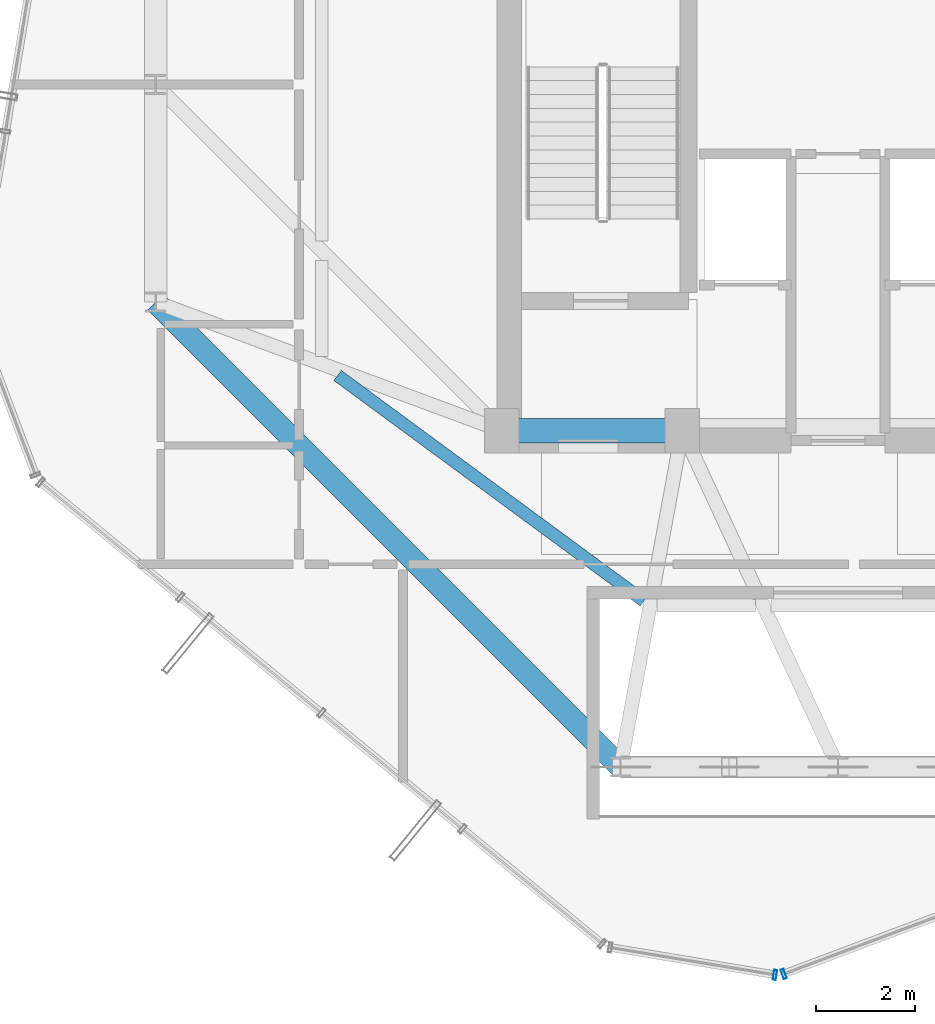
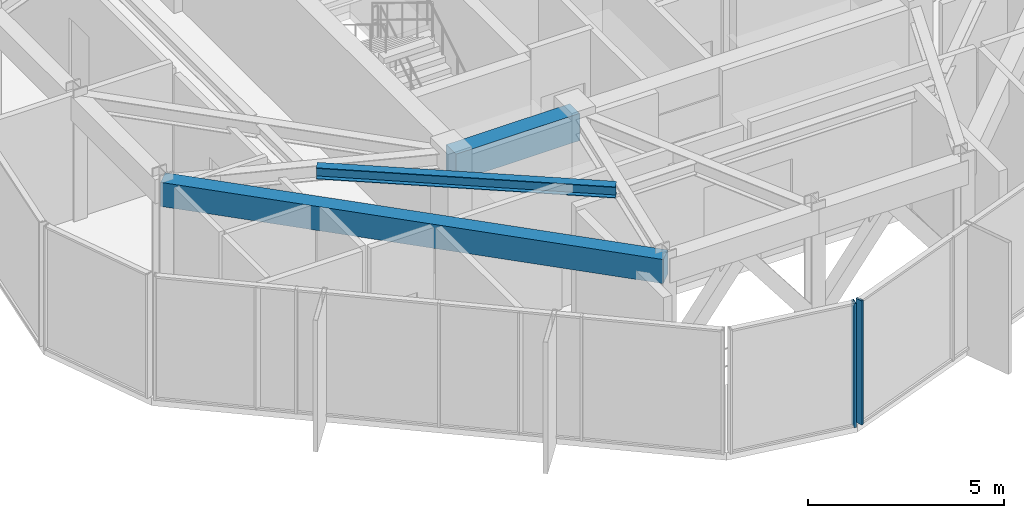
# One storey, part 5 of 22: 3 beams, 2 members, 2 elements without a shape of their own.
"""IFC4 building model written with IfcOpenShell, lengths in metres."""

from ifc_helpers import new_model, si_unit, direction, frame, origin, origin_2d, place, context, subcontext, project, spatial, rectangle, hollow_rectangle, i_section, extrude, source, transform, mapped, material, layer, layer_set, material_profile, profile_set, type_object, element, aggregate, save


model = new_model("IFC4")

# Units and contexts
model_context = context("Model", 3, precision=1e-05, world=origin(), true_north=direction((0.0, 1.0)))
body_context = subcontext(model_context, "Body", "Model", "MODEL_VIEW")
ifc_project = project(units=[si_unit("LENGTHUNIT", "METRE"), si_unit("AREAUNIT", "SQUARE_METRE"), si_unit("VOLUMEUNIT", "CUBIC_METRE"), si_unit("PLANEANGLEUNIT", "RADIAN"), si_unit("MASSUNIT", "GRAM", prefix="KILO")], contexts=[model_context])

# Site, building, storey
site_placement = place(None, origin())
site = spatial("IfcSite", under=ifc_project, at=site_placement, CompositionType="ELEMENT")
building_placement = place(site_placement, origin())
building = spatial("IfcBuilding", under=site, at=building_placement, Name="Veraguas Prism Commons", CompositionType="ELEMENT")
storey_placement = place(building_placement, frame((0.0, 0.0, 240.64990234375)))
storey = spatial("IfcBuildingStorey", under=building, at=storey_placement, Name="L68", CompositionType="ELEMENT", Elevation=240.64990234375)

# Beams
ifc_material_1 = material(Name="Concrete C50/60", Category="concrete")
ifc_material_profile_1 = material_profile(ifc_material_1, rectangle(XDim=0.5, YDim=0.85009765625, at=origin_2d()), Name="RC500X850")
ifc_profile_set_1 = profile_set([ifc_material_profile_1], Name="Concrete C50/60")
beam_type_1 = type_object("IfcBeamType", Name="Core Coupling Beam RC 500x850", PredefinedType="BEAM", material=ifc_profile_set_1)
beam_1_placement = place(storey_placement, frame((17.199951171875, 17.0, 3.440185546875), z_axis=(1.0, 0.0, 0.0), x_axis=(0.0, 1.0, 0.0)))
element("IfcBeam", 1, at=beam_1_placement, inside=storey, type_object=beam_type_1, Name="Core Coupling Beam L68-CRS1", PredefinedType="BEAM", context=body_context, shape_type="SweptSolid", body=[
    extrude(rectangle(XDim=0.5, YDim=0.85009765625, at=origin_2d()), origin(), (0.0, 0.0, 1.0), 3.650146484375),
])
ifc_material_profile_2 = material_profile(ifc_material_1, rectangle(XDim=0.449951171875, YDim=0.75, at=origin_2d()), Name="RC450X750")
ifc_profile_set_2 = profile_set([ifc_material_profile_2], Name="Concrete C50/60")
beam_type_2 = type_object("IfcBeamType", Name="Perimeter Spandrel Upper RC 450x750", PredefinedType="SPANDREL", material=ifc_profile_set_2)
beam_2_placement = place(storey_placement, frame((10.199951171875, 19.60009765625, 3.489990234375), z_axis=(0.707106781187, -0.707106781187, 0.0), x_axis=(0.707106781187, 0.707106781187, 0.0)))
element("IfcBeam", 2, at=beam_2_placement, inside=storey, type_object=beam_type_2, Name="Perimeter Spandrel Beam L68-SP09", PredefinedType="SPANDREL", context=body_context, shape_type="SweptSolid", body=[
    extrude(rectangle(XDim=0.449951171875, YDim=0.75, at=origin_2d()), origin(), (0.0, 0.0, 1.0), 13.293701171875),
])
ifc_material_2 = material(Name="Steel ASTM A992 Grade 50", Category="steel")
ifc_material_profile_3 = material_profile(ifc_material_2, i_section(OverallWidth=0.25390625, OverallDepth=0.35302734375, WebThickness=0.009521484375, FlangeThickness=0.016357421875, at=origin_2d()), Name="W360X91")
ifc_profile_set_3 = profile_set([ifc_material_profile_3], Name="Steel ASTM A992 Grade 50")
beam_type_3 = type_object("IfcBeamType", Name="Upper Floor Joist W360x91", PredefinedType="JOIST", material=ifc_profile_set_3)
beam_3_placement = place(storey_placement, frame((13.881103515625, 18.11572265625, 3.6884765625), z_axis=(0.805319835229, -0.592840588174, 0.0), x_axis=(0.592840588174, 0.805319835229, 0.0)))
element("IfcBeam", 3, at=beam_3_placement, inside=storey, type_object=beam_type_3, Name="Composite Floor Joist L68-JS09", PredefinedType="JOIST", context=body_context, shape_type="SweptSolid", body=[
    extrude(i_section(OverallWidth=0.25390625, OverallDepth=0.35302734375, WebThickness=0.009521484375, FlangeThickness=0.016357421875, at=origin_2d()), origin(), (0.0, 0.0, 1.0), 7.69140625),
])

# Curtain wall, member
ifc_material_3 = material(Name="Anodised aluminium EN AW-6063 T6", Category="aluminium")
ifc_layer = layer(ifc_material_3, 0.199951171875, Name="Sky Lobby and Pool Acoustic Curtain Wall", Category="aluminium")
ifc_layer_set = layer_set([ifc_layer], Name="Anodised aluminium EN AW-6063 T6")
curtain_wall_type = type_object("IfcCurtainWallType", Name="Sky Lobby and Pool Acoustic Curtain Wall", PredefinedType="NOTDEFINED", material=ifc_layer_set)
curtain_wall_1_placement = place(storey_placement, origin())
curtain_wall_1 = element("IfcCurtainWall", 4, at=curtain_wall_1_placement, inside=storey, type_object=curtain_wall_type, Name="Tower Facade Curtain Wall L68-F5", PredefinedType="NOTDEFINED")
ifc_material_profile_4 = material_profile(ifc_material_3, hollow_rectangle(XDim=0.06494140625, YDim=0.199951171875, WallThickness=0.00390625, at=origin_2d()), Name="AL65X200X4")
ifc_profile_set_4 = profile_set([ifc_material_profile_4], Name="Anodised aluminium EN AW-6063 T6")
member_type = type_object("IfcMemberType", Name="Curtain Wall Mullion Heavy AL 65x200x4", PredefinedType="MULLION", material=ifc_profile_set_4)
shared_shape = source(origin(), body_context, "Body", "SweptSolid", [
    extrude(hollow_rectangle(XDim=0.06494140625, YDim=0.199951171875, WallThickness=0.00390625, at=origin_2d()), origin(), (0.0, 0.0, 1.0), 3.864990234375),
])
member_1_placement = place(storey_placement, frame((22.90234375, 6.01171875, 0.0), z_axis=(0.0, 0.0, 1.0), x_axis=(0.936182294613, 0.351514880558, 0.0)))
member_1 = element("IfcMember", 5, at=member_1_placement, type_object=member_type, Name="CW-SKY Mullion 1", PredefinedType="MULLION", context=body_context, shape_type="MappedRepresentation", body=[
    mapped(shared_shape, transform((0.0, 0.0, 0.0), scale=1.0)),
])
aggregate(curtain_wall_1, [member_1])

curtain_wall_2_placement = place(storey_placement, origin())
curtain_wall_2 = element("IfcCurtainWall", 6, at=curtain_wall_2_placement, inside=storey, type_object=curtain_wall_type, Name="Chamfer Curtain Wall L68-C5", PredefinedType="NOTDEFINED")
member_2_placement = place(storey_placement, frame((22.724609375, 5.994384765625, 0.0), z_axis=(0.0, 0.0, 1.0), x_axis=(0.986511376171, -0.16369271421, 0.0)))
member_2 = element("IfcMember", 7, at=member_2_placement, type_object=member_type, Name="CW-SKY Mullion 2", PredefinedType="MULLION", context=body_context, shape_type="MappedRepresentation", body=[
    mapped(shared_shape, transform((0.0, 0.0, 0.0), scale=1.0)),
])
aggregate(curtain_wall_2, [member_2])

save(model, "model.ifc")
